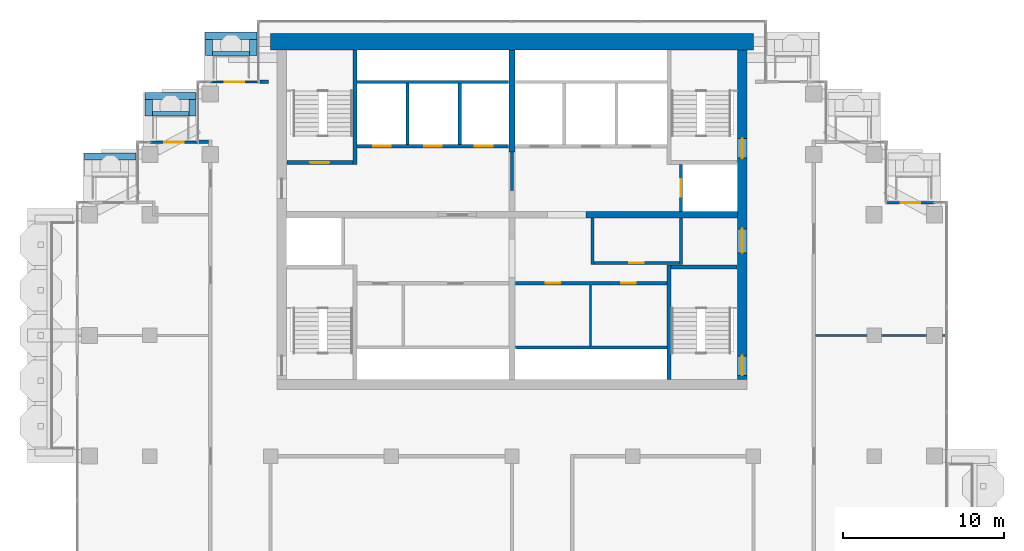
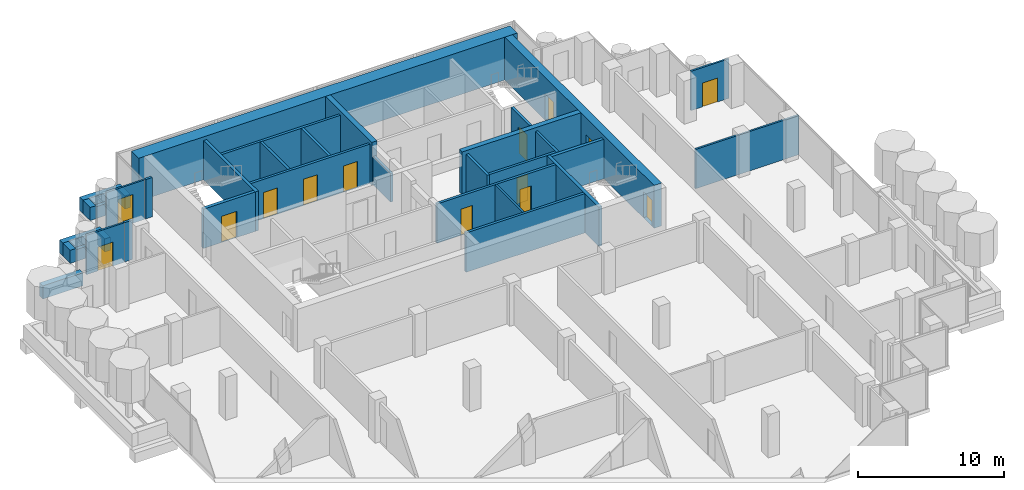
# One storey, part 13 of 17: 35 walls, 14 doors, 14 openings.
"""IFC4 building model written with IfcOpenShell, lengths in metres."""

from ifc_helpers import new_model, si_unit, direction, frame, frame_2d, origin, place, context, subcontext, project, spatial, rectangle, extrude, material, layer, layer_set, type_object, element, fill, save


model = new_model("IFC4")

# Units and contexts
model_context = context("Model", 3, precision=1e-05, world=origin(), true_north=direction((0.0, 1.0)))
body_context = subcontext(model_context, "Body", "Model", "MODEL_VIEW")
ifc_project = project(units=[si_unit("LENGTHUNIT", "METRE"), si_unit("AREAUNIT", "SQUARE_METRE"), si_unit("VOLUMEUNIT", "CUBIC_METRE"), si_unit("PLANEANGLEUNIT", "RADIAN"), si_unit("MASSUNIT", "GRAM", prefix="KILO")], contexts=[model_context])

# Site, building, storey
site_placement = place(None, origin())
site = spatial("IfcSite", under=ifc_project, at=site_placement, CompositionType="ELEMENT")
building_placement = place(site_placement, origin())
building = spatial("IfcBuilding", under=site, at=building_placement, Name="Pilkhan Gate Tower", CompositionType="ELEMENT")
storey_placement = place(building_placement, frame((0.0, 0.0, 213.89990234375)))
storey = spatial("IfcBuildingStorey", under=building, at=storey_placement, Name="L55", CompositionType="ELEMENT", Elevation=213.89990234375)

# Walls
ifc_material_1 = material(Name="Concrete C40/50", Category="concrete")
ifc_layer_1 = layer(ifc_material_1, 0.25)
ifc_layer_set_1 = layer_set([ifc_layer_1], Name="Balcony planter BP250")
wall_type_1 = type_object("IfcWallType", Name="Balcony planter BP250", PredefinedType="USERDEFINED", material=ifc_layer_set_1)
wall_1_placement = place(storey_placement, frame((56.39990234375, 92.52490234375, 0.0), z_axis=(0.0, 0.0, 1.0), x_axis=(1.0, 0.0, 0.0)))
element("IfcWall", 1, at=wall_1_placement, inside=storey, type_object=wall_type_1, Name="Balcony planter L55 N", ObjectType="BALCONY PLANTER", PredefinedType="USERDEFINED", context=body_context, shape_type="SweptSolid", body=[
    extrude(rectangle(XDim=2.300048828125, YDim=0.25, at=frame_2d((1.14990234375, 0.0))), origin(), (0.0, 0.0, 1.0), 1.0),
])
wall_2_placement = place(storey_placement, frame((52.64990234375, 88.77490234375, 0.0), z_axis=(0.0, 0.0, 1.0), x_axis=(1.0, 0.0, 0.0)))
element("IfcWall", 2, at=wall_2_placement, inside=storey, type_object=wall_type_1, Name="Balcony planter L55 N", ObjectType="BALCONY PLANTER", PredefinedType="USERDEFINED", context=body_context, shape_type="SweptSolid", body=[
    extrude(rectangle(XDim=2.280029296875, YDim=0.25, at=frame_2d((1.14013671875, 0.0))), origin(), (0.0, 0.0, 1.0), 1.0),
])
ifc_material_2 = material(Name="Board-marked Concrete C40/50", Category="concrete")
ifc_layer_2 = layer(ifc_material_2, 0.449951171875)
ifc_layer_set_2 = layer_set([ifc_layer_2], Name="Balcony planter lip BL450")
wall_type_2 = type_object("IfcWallType", Name="Balcony planter lip BL450", PredefinedType="USERDEFINED", material=ifc_layer_set_2)
wall_3_placement = place(storey_placement, frame((55.949951171875, 93.625, 0.0), z_axis=(0.0, 0.0, 1.0), x_axis=(1.0, 0.0, 0.0)))
element("IfcWall", 3, at=wall_3_placement, inside=storey, type_object=wall_type_2, Name="Balcony planter L55 N", ObjectType="BALCONY PLANTER", PredefinedType="USERDEFINED", context=body_context, shape_type="SweptSolid", body=[
    extrude(rectangle(XDim=3.199951171875, YDim=0.449951171875, at=frame_2d((1.60009765625, 0.0))), origin(), (0.0, 0.0, 1.0), 1.10009765625),
])
for number, where, z_axis, x_axis, name in (
    (4, (56.175048828125, 92.39990234375, 0.0), (0.0, 0.0, 1.0), (0.0, 1.0, 0.0), "Balcony planter L55 N"),
    (5, (58.925048828125, 92.39990234375, 0.0), (0.0, 0.0, 1.0), (0.0, 1.0, 0.0), "Balcony planter L55 N"),
):
    element("IfcWall", number, at=place(storey_placement, frame(where, z_axis=z_axis, x_axis=x_axis)), inside=storey, type_object=wall_type_2, Name=name, ObjectType="BALCONY PLANTER", PredefinedType="USERDEFINED", context=body_context, shape_type="SweptSolid", body=[
        extrude(rectangle(XDim=1.0, YDim=0.449951171875, at=frame_2d((0.5, 0.0))), origin(), (0.0, 0.0, 1.0), 1.10009765625),
    ])
wall_4_placement = place(storey_placement, frame((52.199951171875, 89.875, 0.0), z_axis=(0.0, 0.0, 1.0), x_axis=(1.0, 0.0, 0.0)))
element("IfcWall", 6, at=wall_4_placement, inside=storey, type_object=wall_type_2, Name="Balcony planter L55 N", ObjectType="BALCONY PLANTER", PredefinedType="USERDEFINED", context=body_context, shape_type="SweptSolid", body=[
    extrude(rectangle(XDim=3.179931640625, YDim=0.449951171875, at=frame_2d((1.58984375, 0.0))), origin(), (0.0, 0.0, 1.0), 1.10009765625),
])
for number, where, z_axis, x_axis, name in (
    (7, (52.425048828125, 88.64990234375, 0.0), (0.0, 0.0, 1.0), (0.0, 1.0, 0.0), "Balcony planter L55 N"),
    (8, (55.155029296875, 88.64990234375, 0.0), (0.0, 0.0, 1.0), (0.0, 1.0, 0.0), "Balcony planter L55 N"),
):
    element("IfcWall", number, at=place(storey_placement, frame(where, z_axis=z_axis, x_axis=x_axis)), inside=storey, type_object=wall_type_2, Name=name, ObjectType="BALCONY PLANTER", PredefinedType="USERDEFINED", context=body_context, shape_type="SweptSolid", body=[
        extrude(rectangle(XDim=1.0, YDim=0.449951171875, at=frame_2d((0.5, 0.0))), origin(), (0.0, 0.0, 1.0), 1.10009765625),
    ])
wall_5_placement = place(storey_placement, frame((48.449951171875, 86.125, 0.0), z_axis=(0.0, 0.0, 1.0), x_axis=(1.0, 0.0, 0.0)))
element("IfcWall", 9, at=wall_5_placement, inside=storey, type_object=wall_type_2, Name="Balcony planter L55 N", ObjectType="BALCONY PLANTER", PredefinedType="USERDEFINED", context=body_context, shape_type="SweptSolid", body=[
    extrude(rectangle(XDim=3.179931640625, YDim=0.449951171875, at=frame_2d((1.58984375, 0.0))), origin(), (0.0, 0.0, 1.0), 1.10009765625),
])
ifc_material_3 = material(Name="Concrete C50/60", Category="concrete")
ifc_layer_3 = layer(ifc_material_3, 1.0)
ifc_layer_set_3 = layer_set([ifc_layer_3], Name="Core wall CW1000 C50/60")
wall_type_3 = type_object("IfcWallType", Name="Core wall CW1000 C50/60", PredefinedType="SHEAR", material=ifc_layer_set_3)
wall_6_placement = place(storey_placement, frame((90.0, 93.25, 0.0), z_axis=(0.0, 0.0, 1.0), x_axis=(-1.0, 0.0, 0.0)))
element("IfcWall", 10, at=wall_6_placement, inside=storey, type_object=wall_type_3, Name="Core wall N L55", PredefinedType="SHEAR", context=body_context, shape_type="SweptSolid", body=[
    extrude(rectangle(XDim=30.0, YDim=1.0, at=frame_2d((15.0, 0.0))), origin(), (0.0, 0.0, 1.0), 3.60009765625),
])

# Wall, openings, doors
ifc_layer_4 = layer(ifc_material_3, 0.60009765625)
ifc_layer_set_4 = layer_set([ifc_layer_4], Name="Core wall CW600 C50/60")
wall_type_4 = type_object("IfcWallType", Name="Core wall CW600 C50/60", PredefinedType="SHEAR", material=ifc_layer_set_4)
wall_7_placement = place(storey_placement, frame((89.300048828125, 72.25, 0.0), z_axis=(0.0, 0.0, 1.0), x_axis=(0.0, 1.0, 0.0)))
wall_7 = element("IfcWall", 11, at=wall_7_placement, inside=storey, type_object=wall_type_4, Name="Core wall E L55", PredefinedType="SHEAR", context=body_context, shape_type="SweptSolid", body=[
    extrude(rectangle(XDim=20.5, YDim=0.60009765625, at=frame_2d((10.25, 0.0))), origin(), (0.0, 0.0, 1.0), 3.60009765625),
])
opening_1_placement = place(wall_7_placement, frame((0.27490234375, 0.0, 0.0)))
opening_1 = element("IfcOpeningElement", 12, at=opening_1_placement, cuts=wall_7, Name="Opening L55-03", PredefinedType="OPENING", context=body_context, shape_type="SweptSolid", body=[
    extrude(rectangle(XDim=1.199951171875, YDim=2.199951171875, at=frame_2d((0.60009765625, 1.10009765625))), frame((0.0, 0.31005859375, 0.0), z_axis=(0.0, -1.0, 0.0), x_axis=(1.0, 0.0, 0.0)), (0.0, 0.0, 1.0), 0.6201171875),
])
opening_2_placement = place(wall_7_placement, frame((13.77490234375, 0.0, 0.0)))
opening_2 = element("IfcOpeningElement", 13, at=opening_2_placement, cuts=wall_7, Name="Opening L55-05", PredefinedType="OPENING", context=body_context, shape_type="SweptSolid", body=[
    extrude(rectangle(XDim=1.199951171875, YDim=2.199951171875, at=frame_2d((0.60009765625, 1.10009765625))), frame((0.0, 0.31005859375, 0.0), z_axis=(0.0, -1.0, 0.0), x_axis=(1.0, 0.0, 0.0)), (0.0, 0.0, 1.0), 0.6201171875),
])
opening_3_placement = place(wall_7_placement, frame((7.875, 0.0, 0.0)))
opening_3 = element("IfcOpeningElement", 14, at=opening_3_placement, cuts=wall_7, Name="Opening L55-06", PredefinedType="OPENING", context=body_context, shape_type="SweptSolid", body=[
    extrude(rectangle(XDim=1.5, YDim=2.199951171875, at=frame_2d((0.75, 1.10009765625))), frame((0.0, 0.31005859375, 0.0), z_axis=(0.0, -1.0, 0.0), x_axis=(1.0, 0.0, 0.0)), (0.0, 0.0, 1.0), 0.6201171875),
])
ifc_material_4 = material(Name="Steel framed glazed door, 60 minute fire resisting", Category="steel")
door_type_1 = type_object("IfcDoorType", Name="Lobby door D09 1500x2200", OperationType="DOUBLE_DOOR_SINGLE_SWING", PredefinedType="DOOR", material=ifc_material_4)
door_1_placement = place(opening_3_placement, origin())
door_1 = element("IfcDoor", 15, at=door_1_placement, inside=storey, type_object=door_type_1, Name="Core door", OperationType="DOUBLE_DOOR_SINGLE_SWING", OverallHeight=2.199951171875, OverallWidth=1.5, PredefinedType="DOOR", context=body_context, shape_type="SweptSolid", body=[
    extrude(rectangle(XDim=1.5, YDim=2.199951171875, at=frame_2d((0.75, 1.10009765625))), frame((0.0, 0.02490234375, 0.0), z_axis=(0.0, -1.0, 0.0), x_axis=(1.0, 0.0, 0.0)), (0.0, 0.0, 1.0), 0.050048828125),
])
fill(opening_3, door_1)
ifc_material_5 = material(Name="Steel door, 120 minute fire resisting, panic bar", Category="steel")
door_type_2 = type_object("IfcDoorType", Name="Stair door D11 1200x2200", OperationType="SINGLE_SWING_LEFT", PredefinedType="DOOR", material=ifc_material_5)
door_2_placement = place(opening_1_placement, origin())
door_2 = element("IfcDoor", 16, at=door_2_placement, inside=storey, type_object=door_type_2, Name="Stair ST1 door", OperationType="SINGLE_SWING_LEFT", OverallHeight=2.199951171875, OverallWidth=1.199951171875, PredefinedType="DOOR", context=body_context, shape_type="SweptSolid", body=[
    extrude(rectangle(XDim=1.199951171875, YDim=2.199951171875, at=frame_2d((0.60009765625, 1.10009765625))), frame((0.0, 0.02490234375, 0.0), z_axis=(0.0, -1.0, 0.0), x_axis=(1.0, 0.0, 0.0)), (0.0, 0.0, 1.0), 0.050048828125),
])
fill(opening_1, door_2)
door_3_placement = place(opening_2_placement, origin())
door_3 = element("IfcDoor", 17, at=door_3_placement, inside=storey, type_object=door_type_2, Name="Stair ST4 door", OperationType="SINGLE_SWING_RIGHT", OverallHeight=2.199951171875, OverallWidth=1.199951171875, PredefinedType="DOOR", context=body_context, shape_type="SweptSolid", body=[
    extrude(rectangle(XDim=1.199951171875, YDim=2.199951171875, at=frame_2d((0.60009765625, 1.10009765625))), frame((0.0, 0.02490234375, 0.0), z_axis=(0.0, -1.0, 0.0), x_axis=(1.0, 0.0, 0.0)), (0.0, 0.0, 1.0), 0.050048828125),
])
fill(opening_2, door_3)

# Walls
ifc_material_6 = material(Name="Dense blockwork", Category="masonry")
ifc_layer_5 = layer(ifc_material_6, 0.199951171875)
ifc_layer_set_5 = layer_set([ifc_layer_5], Name="Corridor wall FW200")
wall_type_5 = type_object("IfcWallType", Name="Corridor wall FW200", PredefinedType="PARTITIONING", material=ifc_layer_set_5)
wall_8_placement = place(storey_placement, frame((55.510009765625, 87.030029296875, 0.0), z_axis=(0.0, 0.0, 1.0), x_axis=(1.0, 0.0, 0.0)))
element("IfcWall", 18, at=wall_8_placement, inside=storey, type_object=wall_type_5, Name="Partition L55", PredefinedType="PARTITIONING", context=body_context, shape_type="SweptSolid", body=[
    extrude(rectangle(XDim=0.639892578125, YDim=0.199951171875, at=frame_2d((0.31982421875, 0.0))), origin(), (0.0, 0.0, 1.0), 3.300048828125),
])
wall_9_placement = place(storey_placement, frame((59.35498046875, 90.764892578125, 0.0), z_axis=(0.0, 0.0, 1.0), x_axis=(1.0, 0.0, 0.0)))
element("IfcWall", 19, at=wall_9_placement, inside=storey, type_object=wall_type_5, Name="Partition L55", PredefinedType="PARTITIONING", context=body_context, shape_type="SweptSolid", body=[
    extrude(rectangle(XDim=0.52490234375, YDim=0.199951171875, at=frame_2d((0.262451171875, 0.0))), origin(), (0.0, 0.0, 1.0), 3.300048828125),
])

# Wall, opening, door
ifc_material_7 = material(Name="Pale anodised aluminium, clear laminated glazing", Category="aluminium")
ifc_layer_6 = layer(ifc_material_7, 0.14990234375)
ifc_layer_set_6 = layer_set([ifc_layer_6], Name="Facade infill wall IW150")
wall_type_6 = type_object("IfcWallType", Name="Facade infill wall IW150", PredefinedType="SOLIDWALL", material=ifc_layer_set_6)
wall_10_placement = place(storey_placement, frame((98.25, 83.25, 0.0), z_axis=(0.0, 0.0, 1.0), x_axis=(1.0, 0.0, 0.0)))
wall_10 = element("IfcWall", 20, at=wall_10_placement, inside=storey, type_object=wall_type_6, Name="Infill wall L55 N", PredefinedType="SOLIDWALL", context=body_context, shape_type="SweptSolid", body=[
    extrude(rectangle(XDim=3.0, YDim=0.14990234375, at=frame_2d((1.5, 0.0))), origin(), (0.0, 0.0, 1.0), 3.300048828125),
])
opening_4_placement = place(wall_10_placement, frame((0.89990234375, 0.0, 0.0)))
opening_4 = element("IfcOpeningElement", 21, at=opening_4_placement, cuts=wall_10, Name="Opening D1L", PredefinedType="OPENING", context=body_context, shape_type="SweptSolid", body=[
    extrude(rectangle(XDim=1.199951171875, YDim=2.0, at=frame_2d((0.60009765625, 1.0))), frame((0.0, 0.0849609375, 0.0), z_axis=(0.0, -1.0, 0.0), x_axis=(1.0, 0.0, 0.0)), (0.0, 0.0, 1.0), 0.169921875),
])
ifc_material_8 = material(Name="Pale anodised aluminium, clear glazing", Category="aluminium")
door_type_3 = type_object("IfcDoorType", Name="Balcony door D1L 1200x2000", OperationType="SINGLE_SWING_LEFT", PredefinedType="DOOR", material=ifc_material_8)
door_4_placement = place(opening_4_placement, origin())
door_4 = element("IfcDoor", 22, at=door_4_placement, inside=storey, type_object=door_type_3, Name="Balcony door L55", OperationType="SINGLE_SWING_LEFT", OverallHeight=2.0, OverallWidth=1.199951171875, PredefinedType="DOOR", context=body_context, shape_type="SweptSolid", body=[
    extrude(rectangle(XDim=1.199951171875, YDim=2.0, at=frame_2d((0.60009765625, 1.0))), frame((0.0, 0.02490234375, 0.0), z_axis=(0.0, -1.0, 0.0), x_axis=(1.0, 0.0, 0.0)), (0.0, 0.0, 1.0), 0.050048828125),
])
fill(opening_4, door_4)

wall_11_placement = place(storey_placement, frame((56.25, 90.75, 0.0), z_axis=(0.0, 0.0, 1.0), x_axis=(1.0, 0.0, 0.0)))
wall_11 = element("IfcWall", 23, at=wall_11_placement, inside=storey, type_object=wall_type_6, Name="Infill wall L55 N", PredefinedType="SOLIDWALL", context=body_context, shape_type="SweptSolid", body=[
    extrude(rectangle(XDim=3.0, YDim=0.14990234375, at=frame_2d((1.5, 0.0))), origin(), (0.0, 0.0, 1.0), 3.300048828125),
])
opening_5_placement = place(wall_11_placement, frame((0.89990234375, 0.0, 0.0)))
opening_5 = element("IfcOpeningElement", 24, at=opening_5_placement, cuts=wall_11, Name="Opening D1", PredefinedType="OPENING", context=body_context, shape_type="SweptSolid", body=[
    extrude(rectangle(XDim=1.199951171875, YDim=2.39990234375, at=frame_2d((0.60009765625, 1.199951171875))), frame((0.0, 0.0849609375, 0.0), z_axis=(0.0, -1.0, 0.0), x_axis=(1.0, 0.0, 0.0)), (0.0, 0.0, 1.0), 0.169921875),
])
door_type_4 = type_object("IfcDoorType", Name="Balcony door D1 1200x2400", OperationType="SINGLE_SWING_LEFT", PredefinedType="DOOR", material=ifc_material_8)
door_5_placement = place(opening_5_placement, origin())
door_5 = element("IfcDoor", 25, at=door_5_placement, inside=storey, type_object=door_type_4, Name="Balcony door L55", OperationType="SINGLE_SWING_LEFT", OverallHeight=2.39990234375, OverallWidth=1.199951171875, PredefinedType="DOOR", context=body_context, shape_type="SweptSolid", body=[
    extrude(rectangle(XDim=1.199951171875, YDim=2.39990234375, at=frame_2d((0.60009765625, 1.199951171875))), frame((0.0, 0.02490234375, 0.0), z_axis=(0.0, -1.0, 0.0), x_axis=(1.0, 0.0, 0.0)), (0.0, 0.0, 1.0), 0.050048828125),
])
fill(opening_5, door_5)

wall_12_placement = place(storey_placement, frame((52.5, 87.0, 0.0), z_axis=(0.0, 0.0, 1.0), x_axis=(1.0, 0.0, 0.0)))
wall_12 = element("IfcWall", 26, at=wall_12_placement, inside=storey, type_object=wall_type_6, Name="Infill wall L55 N", PredefinedType="SOLIDWALL", context=body_context, shape_type="SweptSolid", body=[
    extrude(rectangle(XDim=3.0, YDim=0.14990234375, at=frame_2d((1.5, 0.0))), origin(), (0.0, 0.0, 1.0), 3.300048828125),
])
opening_6_placement = place(wall_12_placement, frame((0.89990234375, 0.0, 0.0)))
opening_6 = element("IfcOpeningElement", 27, at=opening_6_placement, cuts=wall_12, Name="Opening D1L", PredefinedType="OPENING", context=body_context, shape_type="SweptSolid", body=[
    extrude(rectangle(XDim=1.199951171875, YDim=2.0, at=frame_2d((0.60009765625, 1.0))), frame((0.0, 0.0849609375, 0.0), z_axis=(0.0, -1.0, 0.0), x_axis=(1.0, 0.0, 0.0)), (0.0, 0.0, 1.0), 0.169921875),
])
door_6_placement = place(opening_6_placement, origin())
door_6 = element("IfcDoor", 28, at=door_6_placement, inside=storey, type_object=door_type_3, Name="Balcony door L55", OperationType="SINGLE_SWING_LEFT", OverallHeight=2.0, OverallWidth=1.199951171875, PredefinedType="DOOR", context=body_context, shape_type="SweptSolid", body=[
    extrude(rectangle(XDim=1.199951171875, YDim=2.0, at=frame_2d((0.60009765625, 1.0))), frame((0.0, 0.02490234375, 0.0), z_axis=(0.0, -1.0, 0.0), x_axis=(1.0, 0.0, 0.0)), (0.0, 0.0, 1.0), 0.050048828125),
])
fill(opening_6, door_6)

# Wall
ifc_layer_7 = layer(ifc_material_6, 0.199951171875)
ifc_layer_set_7 = layer_set([ifc_layer_7], Name="Lobby wall LW200")
wall_type_7 = type_object("IfcWallType", Name="Lobby wall LW200", PredefinedType="PARTITIONING", material=ifc_layer_set_7)
wall_13_placement = place(storey_placement, frame((75.2099609375, 74.25, 0.0), z_axis=(0.0, 0.0, 1.0), x_axis=(1.0, 0.0, 0.0)))
element("IfcWall", 29, at=wall_13_placement, inside=storey, type_object=wall_type_7, Name="Partition L55", PredefinedType="PARTITIONING", context=body_context, shape_type="SweptSolid", body=[
    extrude(rectangle(XDim=9.4150390625, YDim=0.199951171875, at=frame_2d((4.70751953125, 0.0))), origin(), (0.0, 0.0, 1.0), 3.300048828125),
])

# Wall, openings, doors
wall_14_placement = place(storey_placement, frame((75.2099609375, 78.25, 0.0), z_axis=(0.0, 0.0, 1.0), x_axis=(1.0, 0.0, 0.0)))
wall_14 = element("IfcWall", 30, at=wall_14_placement, inside=storey, type_object=wall_type_7, Name="Partition L55", PredefinedType="PARTITIONING", context=body_context, shape_type="SweptSolid", body=[
    extrude(rectangle(XDim=9.4150390625, YDim=0.199951171875, at=frame_2d((4.70751953125, 0.0))), origin(), (0.0, 0.0, 1.0), 3.300048828125),
])
opening_7_placement = place(wall_14_placement, frame((1.89990234375, 0.0, 0.0)))
opening_7 = element("IfcOpeningElement", 31, at=opening_7_placement, cuts=wall_14, Name="Opening L55-11", PredefinedType="OPENING", context=body_context, shape_type="SweptSolid", body=[
    extrude(rectangle(XDim=0.89990234375, YDim=2.199951171875, at=frame_2d((0.449951171875, 1.10009765625))), frame((0.0, 0.10986328125, 0.0), z_axis=(0.0, -1.0, 0.0), x_axis=(1.0, 0.0, 0.0)), (0.0, 0.0, 1.0), 0.219970703125),
])
opening_8_placement = place(wall_14_placement, frame((6.56494140625, 0.0, 0.0)))
opening_8 = element("IfcOpeningElement", 32, at=opening_8_placement, cuts=wall_14, Name="Opening L55-12", PredefinedType="OPENING", context=body_context, shape_type="SweptSolid", body=[
    extrude(rectangle(XDim=0.89990234375, YDim=2.199951171875, at=frame_2d((0.449951171875, 1.10009765625))), frame((0.0, 0.10986328125, 0.0), z_axis=(0.0, -1.0, 0.0), x_axis=(1.0, 0.0, 0.0)), (0.0, 0.0, 1.0), 0.219970703125),
])
ifc_material_9 = material(Name="Timber flush door, 60 minute fire resisting, self-closing", Category="wood")
door_type_5 = type_object("IfcDoorType", Name="Store door D05 900x2200", OperationType="SINGLE_SWING_LEFT", PredefinedType="DOOR", material=ifc_material_9)
door_7_placement = place(opening_7_placement, origin())
door_7 = element("IfcDoor", 33, at=door_7_placement, inside=storey, type_object=door_type_5, Name="Store door", OperationType="SINGLE_SWING_LEFT", OverallHeight=2.199951171875, OverallWidth=0.89990234375, PredefinedType="DOOR", context=body_context, shape_type="SweptSolid", body=[
    extrude(rectangle(XDim=0.89990234375, YDim=2.199951171875, at=frame_2d((0.449951171875, 1.10009765625))), frame((0.0, 0.02490234375, 0.0), z_axis=(0.0, -1.0, 0.0), x_axis=(1.0, 0.0, 0.0)), (0.0, 0.0, 1.0), 0.050048828125),
])
fill(opening_7, door_7)
door_8_placement = place(opening_8_placement, origin())
door_8 = element("IfcDoor", 34, at=door_8_placement, inside=storey, type_object=door_type_5, Name="Store door", OperationType="SINGLE_SWING_RIGHT", OverallHeight=2.199951171875, OverallWidth=0.89990234375, PredefinedType="DOOR", context=body_context, shape_type="SweptSolid", body=[
    extrude(rectangle(XDim=0.89990234375, YDim=2.199951171875, at=frame_2d((0.449951171875, 1.10009765625))), frame((0.0, 0.02490234375, 0.0), z_axis=(0.0, -1.0, 0.0), x_axis=(1.0, 0.0, 0.0)), (0.0, 0.0, 1.0), 0.050048828125),
])
fill(opening_8, door_8)

# Wall, opening, door
wall_15_placement = place(storey_placement, frame((80.10009765625, 79.5, 0.0), z_axis=(0.0, 0.0, 1.0), x_axis=(1.0, 0.0, 0.0)))
wall_15 = element("IfcWall", 35, at=wall_15_placement, inside=storey, type_object=wall_type_7, Name="Partition L55", PredefinedType="PARTITIONING", context=body_context, shape_type="SweptSolid", body=[
    extrude(rectangle(XDim=5.2998046875, YDim=0.199951171875, at=frame_2d((2.64990234375, 0.0))), origin(), (0.0, 0.0, 1.0), 3.300048828125),
])
opening_9_placement = place(wall_15_placement, frame((2.199951171875, 0.0, 0.0)))
opening_9 = element("IfcOpeningElement", 36, at=opening_9_placement, cuts=wall_15, Name="Opening L55-07", PredefinedType="OPENING", context=body_context, shape_type="SweptSolid", body=[
    extrude(rectangle(XDim=0.89990234375, YDim=2.199951171875, at=frame_2d((0.449951171875, 1.10009765625))), frame((0.0, 0.10986328125, 0.0), z_axis=(0.0, -1.0, 0.0), x_axis=(1.0, 0.0, 0.0)), (0.0, 0.0, 1.0), 0.219970703125),
])
door_9_placement = place(opening_9_placement, origin())
door_9 = element("IfcDoor", 37, at=door_9_placement, inside=storey, type_object=door_type_5, Name="Store door", OperationType="SINGLE_SWING_LEFT", OverallHeight=2.199951171875, OverallWidth=0.89990234375, PredefinedType="DOOR", context=body_context, shape_type="SweptSolid", body=[
    extrude(rectangle(XDim=0.89990234375, YDim=2.199951171875, at=frame_2d((0.449951171875, 1.10009765625))), frame((0.0, 0.02490234375, 0.0), z_axis=(0.0, -1.0, 0.0), x_axis=(1.0, 0.0, 0.0)), (0.0, 0.0, 1.0), 0.050048828125),
])
fill(opening_9, door_9)

# Walls
wall_16_placement = place(storey_placement, frame((75.0, 84.010009765625, 0.0), z_axis=(0.0, 0.0, 1.0), x_axis=(0.0, 1.0, 0.0)))
element("IfcWall", 38, at=wall_16_placement, inside=storey, type_object=wall_type_7, Name="Partition L55", PredefinedType="PARTITIONING", context=body_context, shape_type="SweptSolid", body=[
    extrude(rectangle(XDim=2.3798828125, YDim=0.199951171875, at=frame_2d((1.18994140625, 0.0))), origin(), (0.0, 0.0, 1.0), 2.400146484375),
])
for number, where, z_axis, x_axis, name in (
    (39, (80.0, 79.39990234375, 0.0), (0.0, 0.0, 1.0), (0.0, 1.0, 0.0), "Partition L55"),
    (40, (85.5, 79.39990234375, 0.0), (0.0, 0.0, 1.0), (0.0, 1.0, 0.0), "Partition L55"),
):
    element("IfcWall", number, at=place(storey_placement, frame(where, z_axis=z_axis, x_axis=x_axis)), inside=storey, type_object=wall_type_7, Name=name, PredefinedType="PARTITIONING", context=body_context, shape_type="SweptSolid", body=[
        extrude(rectangle(XDim=2.89013671875, YDim=0.199951171875, at=frame_2d((1.445068359375, 0.0))), origin(), (0.0, 0.0, 1.0), 3.300048828125),
    ])
ifc_material_10 = material(Name="Blockwork partition, plastered both sides", Category="masonry")
ifc_layer_8 = layer(ifc_material_10, 0.14990234375)
ifc_layer_set_8 = layer_set([ifc_layer_8], Name="Partition PW150")
wall_type_8 = type_object("IfcWallType", Name="Partition PW150", PredefinedType="PARTITIONING", material=ifc_layer_set_8)
wall_17_placement = place(storey_placement, frame((93.85009765625, 75.0, 0.0), z_axis=(0.0, 0.0, 1.0), x_axis=(1.0, 0.0, 0.0)))
element("IfcWall", 41, at=wall_17_placement, inside=storey, type_object=wall_type_8, Name="Partition L55", PredefinedType="PARTITIONING", context=body_context, shape_type="SweptSolid", body=[
    extrude(rectangle(XDim=8.164794921875, YDim=0.14990234375, at=frame_2d((4.08251953125, 0.0))), origin(), (0.0, 0.0, 1.0), 3.300048828125),
])
wall_18_placement = place(storey_placement, frame((79.875, 74.35009765625, 0.0), z_axis=(0.0, 0.0, 1.0), x_axis=(0.0, 1.0, 0.0)))
element("IfcWall", 42, at=wall_18_placement, inside=storey, type_object=wall_type_8, Name="Partition L55", PredefinedType="PARTITIONING", context=body_context, shape_type="SweptSolid", body=[
    extrude(rectangle(XDim=3.7998046875, YDim=0.14990234375, at=frame_2d((1.89990234375, 0.0))), origin(), (0.0, 0.0, 1.0), 3.300048828125),
])

# Wall, openings, doors
ifc_material_11 = material(Name="Reinforced blockwork shaft wall, 120 minute fire resisting", Category="masonry")
ifc_layer_9 = layer(ifc_material_11, 0.199951171875)
ifc_layer_set_9 = layer_set([ifc_layer_9], Name="Shaft wall SW200")
wall_type_9 = type_object("IfcWallType", Name="Shaft wall SW200", PredefinedType="PARTITIONING", material=ifc_layer_set_9)
wall_19_placement = place(storey_placement, frame((65.375, 86.75, 0.0), z_axis=(0.0, 0.0, 1.0), x_axis=(1.0, 0.0, 0.0)))
wall_19 = element("IfcWall", 43, at=wall_19_placement, inside=storey, type_object=wall_type_9, Name="Partition L55", PredefinedType="PARTITIONING", context=body_context, shape_type="SweptSolid", body=[
    extrude(rectangle(XDim=9.4150390625, YDim=0.199951171875, at=frame_2d((4.70751953125, 0.0))), origin(), (0.0, 0.0, 1.0), 3.300048828125),
])
opening_10_placement = place(wall_19_placement, frame((1.0, 0.0, 0.0)))
opening_10 = element("IfcOpeningElement", 44, at=opening_10_placement, cuts=wall_19, Name="Opening LD", PredefinedType="OPENING", context=body_context, shape_type="SweptSolid", body=[
    extrude(rectangle(XDim=1.10009765625, YDim=2.199951171875, at=frame_2d((0.550048828125, 1.10009765625))), frame((0.0, 0.10986328125, 0.0), z_axis=(0.0, -1.0, 0.0), x_axis=(1.0, 0.0, 0.0)), (0.0, 0.0, 1.0), 0.219970703125),
])
opening_11_placement = place(wall_19_placement, frame((4.175048828125, 0.0, 0.0)))
opening_11 = element("IfcOpeningElement", 45, at=opening_11_placement, cuts=wall_19, Name="Opening LD", PredefinedType="OPENING", context=body_context, shape_type="SweptSolid", body=[
    extrude(rectangle(XDim=1.10009765625, YDim=2.199951171875, at=frame_2d((0.550048828125, 1.10009765625))), frame((0.0, 0.10986328125, 0.0), z_axis=(0.0, -1.0, 0.0), x_axis=(1.0, 0.0, 0.0)), (0.0, 0.0, 1.0), 0.219970703125),
])
opening_12_placement = place(wall_19_placement, frame((7.324951171875, 0.0, 0.0)))
opening_12 = element("IfcOpeningElement", 46, at=opening_12_placement, cuts=wall_19, Name="Opening LD", PredefinedType="OPENING", context=body_context, shape_type="SweptSolid", body=[
    extrude(rectangle(XDim=1.10009765625, YDim=2.199951171875, at=frame_2d((0.550048828125, 1.10009765625))), frame((0.0, 0.10986328125, 0.0), z_axis=(0.0, -1.0, 0.0), x_axis=(1.0, 0.0, 0.0)), (0.0, 0.0, 1.0), 0.219970703125),
])
ifc_material_12 = material(Name="Stainless steel centre-opening landing door, 120 minute fire resisting", Category="steel")
door_type_6 = type_object("IfcDoorType", Name="Lift landing door LD 1100x2200", OperationType="DOUBLE_DOOR_SLIDING", PredefinedType="DOOR", material=ifc_material_12)
door_10_placement = place(opening_10_placement, origin())
door_10 = element("IfcDoor", 47, at=door_10_placement, inside=storey, type_object=door_type_6, Name="Landing door FF1", OperationType="DOUBLE_DOOR_SLIDING", OverallHeight=2.199951171875, OverallWidth=1.10009765625, PredefinedType="DOOR", context=body_context, shape_type="SweptSolid", body=[
    extrude(rectangle(XDim=1.10009765625, YDim=2.199951171875, at=frame_2d((0.550048828125, 1.10009765625))), frame((0.0, 0.02490234375, 0.0), z_axis=(0.0, -1.0, 0.0), x_axis=(1.0, 0.0, 0.0)), (0.0, 0.0, 1.0), 0.050048828125),
])
fill(opening_10, door_10)
door_11_placement = place(opening_11_placement, origin())
door_11 = element("IfcDoor", 48, at=door_11_placement, inside=storey, type_object=door_type_6, Name="Landing door FF2", OperationType="DOUBLE_DOOR_SLIDING", OverallHeight=2.199951171875, OverallWidth=1.10009765625, PredefinedType="DOOR", context=body_context, shape_type="SweptSolid", body=[
    extrude(rectangle(XDim=1.10009765625, YDim=2.199951171875, at=frame_2d((0.550048828125, 1.10009765625))), frame((0.0, 0.02490234375, 0.0), z_axis=(0.0, -1.0, 0.0), x_axis=(1.0, 0.0, 0.0)), (0.0, 0.0, 1.0), 0.050048828125),
])
fill(opening_11, door_11)
door_12_placement = place(opening_12_placement, origin())
door_12 = element("IfcDoor", 49, at=door_12_placement, inside=storey, type_object=door_type_6, Name="Landing door SV1", OperationType="DOUBLE_DOOR_SLIDING", OverallHeight=2.199951171875, OverallWidth=1.10009765625, PredefinedType="DOOR", context=body_context, shape_type="SweptSolid", body=[
    extrude(rectangle(XDim=1.10009765625, YDim=2.199951171875, at=frame_2d((0.550048828125, 1.10009765625))), frame((0.0, 0.02490234375, 0.0), z_axis=(0.0, -1.0, 0.0), x_axis=(1.0, 0.0, 0.0)), (0.0, 0.0, 1.0), 0.050048828125),
])
fill(opening_12, door_12)

# Walls
wall_20_placement = place(storey_placement, frame((65.375, 90.75, 0.0), z_axis=(0.0, 0.0, 1.0), x_axis=(1.0, 0.0, 0.0)))
element("IfcWall", 50, at=wall_20_placement, inside=storey, type_object=wall_type_9, Name="Partition L55", PredefinedType="PARTITIONING", context=body_context, shape_type="SweptSolid", body=[
    extrude(rectangle(XDim=9.4150390625, YDim=0.199951171875, at=frame_2d((4.70751953125, 0.0))), origin(), (0.0, 0.0, 1.0), 3.300048828125),
])
for number, where, z_axis, x_axis, name in (
    (51, (68.5, 86.85009765625, 0.0), (0.0, 0.0, 1.0), (0.0, 1.0, 0.0), "Partition L55"),
    (52, (71.75, 86.85009765625, 0.0), (0.0, 0.0, 1.0), (0.0, 1.0, 0.0), "Partition L55"),
):
    element("IfcWall", number, at=place(storey_placement, frame(where, z_axis=z_axis, x_axis=x_axis)), inside=storey, type_object=wall_type_9, Name=name, PredefinedType="PARTITIONING", context=body_context, shape_type="SweptSolid", body=[
        extrude(rectangle(XDim=3.7998046875, YDim=0.199951171875, at=frame_2d((1.89990234375, 0.0))), origin(), (0.0, 0.0, 1.0), 3.300048828125),
    ])

# Wall, opening, door
wall_21_placement = place(storey_placement, frame((85.5, 82.7099609375, 0.0), z_axis=(0.0, 0.0, 1.0), x_axis=(0.0, 1.0, 0.0)))
wall_21 = element("IfcWall", 53, at=wall_21_placement, inside=storey, type_object=wall_type_9, Name="Partition L55", PredefinedType="PARTITIONING", context=body_context, shape_type="SweptSolid", body=[
    extrude(rectangle(XDim=2.9150390625, YDim=0.199951171875, at=frame_2d((1.45751953125, 0.0))), origin(), (0.0, 0.0, 1.0), 3.300048828125),
])
opening_13_placement = place(wall_21_placement, frame((0.89990234375, 0.0, 0.0)))
opening_13 = element("IfcOpeningElement", 54, at=opening_13_placement, cuts=wall_21, Name="Opening LD", PredefinedType="OPENING", context=body_context, shape_type="SweptSolid", body=[
    extrude(rectangle(XDim=1.10009765625, YDim=2.199951171875, at=frame_2d((0.550048828125, 1.10009765625))), frame((0.0, 0.10986328125, 0.0), z_axis=(0.0, -1.0, 0.0), x_axis=(1.0, 0.0, 0.0)), (0.0, 0.0, 1.0), 0.219970703125),
])
door_13_placement = place(opening_13_placement, origin())
door_13 = element("IfcDoor", 55, at=door_13_placement, inside=storey, type_object=door_type_6, Name="Landing door HR4", OperationType="DOUBLE_DOOR_SLIDING", OverallHeight=2.199951171875, OverallWidth=1.10009765625, PredefinedType="DOOR", context=body_context, shape_type="SweptSolid", body=[
    extrude(rectangle(XDim=1.10009765625, YDim=2.199951171875, at=frame_2d((0.550048828125, 1.10009765625))), frame((0.0, 0.02490234375, 0.0), z_axis=(0.0, -1.0, 0.0), x_axis=(1.0, 0.0, 0.0)), (0.0, 0.0, 1.0), 0.050048828125),
])
fill(opening_13, door_13)

# Walls
ifc_layer_10 = layer(ifc_material_3, 0.39990234375)
ifc_layer_set_10 = layer_set([ifc_layer_10], Name="Spine wall SW400 C50/60")
wall_type_10 = type_object("IfcWallType", Name="Spine wall SW400 C50/60", PredefinedType="SHEAR", material=ifc_layer_set_10)
wall_22_placement = place(storey_placement, frame((79.60009765625, 82.5, 0.0), z_axis=(0.0, 0.0, 1.0), x_axis=(1.0, 0.0, 0.0)))
element("IfcWall", 56, at=wall_22_placement, inside=storey, type_object=wall_type_10, Name="Spine wall SP-EW3 L55", PredefinedType="SHEAR", context=body_context, shape_type="SweptSolid", body=[
    extrude(rectangle(XDim=9.39990234375, YDim=0.39990234375, at=frame_2d((4.699951171875, 0.0))), origin(), (0.0, 0.0, 1.0), 3.60009765625),
])
wall_23_placement = place(storey_placement, frame((75.0, 86.39990234375, 0.0), z_axis=(0.0, 0.0, 1.0), x_axis=(0.0, 1.0, 0.0)))
element("IfcWall", 57, at=wall_23_placement, inside=storey, type_object=wall_type_10, Name="Spine wall SP-NS-N2 L55", PredefinedType="SHEAR", context=body_context, shape_type="SweptSolid", body=[
    extrude(rectangle(XDim=6.35009765625, YDim=0.39990234375, at=frame_2d((3.175048828125, 0.0))), origin(), (0.0, 0.0, 1.0), 3.60009765625),
])
ifc_material_13 = material(Name="Reinforced blockwork, 120 minute fire resisting", Category="masonry")
ifc_layer_11 = layer(ifc_material_13, 0.25)
ifc_layer_set_11 = layer_set([ifc_layer_11], Name="Stair enclosure wall SE250")
wall_type_11 = type_object("IfcWallType", Name="Stair enclosure wall SE250", PredefinedType="PARTITIONING", material=ifc_layer_set_11)
wall_24_placement = place(storey_placement, frame((84.875, 79.25, 0.0), z_axis=(0.0, 0.0, 1.0), x_axis=(1.0, 0.0, 0.0)))
element("IfcWall", 58, at=wall_24_placement, inside=storey, type_object=wall_type_11, Name="Partition L55", PredefinedType="PARTITIONING", context=body_context, shape_type="SweptSolid", body=[
    extrude(rectangle(XDim=4.114990234375, YDim=0.25, at=frame_2d((2.0576171875, 0.0))), origin(), (0.0, 0.0, 1.0), 3.300048828125),
])

# Wall, opening, door
wall_25_placement = place(storey_placement, frame((61.010009765625, 85.75, 0.0), z_axis=(0.0, 0.0, 1.0), x_axis=(1.0, 0.0, 0.0)))
wall_25 = element("IfcWall", 59, at=wall_25_placement, inside=storey, type_object=wall_type_11, Name="Partition L55", PredefinedType="PARTITIONING", context=body_context, shape_type="SweptSolid", body=[
    extrude(rectangle(XDim=4.114990234375, YDim=0.25, at=frame_2d((2.0576171875, 0.0))), origin(), (0.0, 0.0, 1.0), 3.300048828125),
])
opening_14_placement = place(wall_25_placement, frame((1.449951171875, 0.0, 0.0)))
opening_14 = element("IfcOpeningElement", 60, at=opening_14_placement, cuts=wall_25, Name="Opening L55-02", PredefinedType="OPENING", context=body_context, shape_type="SweptSolid", body=[
    extrude(rectangle(XDim=1.199951171875, YDim=2.199951171875, at=frame_2d((0.60009765625, 1.10009765625))), frame((0.0, 0.135009765625, 0.0), z_axis=(0.0, -1.0, 0.0), x_axis=(1.0, 0.0, 0.0)), (0.0, 0.0, 1.0), 0.27001953125),
])
door_14_placement = place(opening_14_placement, origin())
door_14 = element("IfcDoor", 61, at=door_14_placement, inside=storey, type_object=door_type_2, Name="Stair ST3 lobby door", OperationType="SINGLE_SWING_RIGHT", OverallHeight=2.199951171875, OverallWidth=1.199951171875, PredefinedType="DOOR", context=body_context, shape_type="SweptSolid", body=[
    extrude(rectangle(XDim=1.199951171875, YDim=2.199951171875, at=frame_2d((0.60009765625, 1.10009765625))), frame((0.0, 0.02490234375, 0.0), z_axis=(0.0, -1.0, 0.0), x_axis=(1.0, 0.0, 0.0)), (0.0, 0.0, 1.0), 0.050048828125),
])
fill(opening_14, door_14)

# Walls
for number, where, z_axis, x_axis, name in (
    (62, (65.25, 85.625, 0.0), (0.0, 0.0, 1.0), (0.0, 1.0, 0.0), "Partition L55"),
    (63, (84.75, 72.260009765625, 0.0), (0.0, 0.0, 1.0), (0.0, 1.0, 0.0), "Partition L55"),
):
    element("IfcWall", number, at=place(storey_placement, frame(where, z_axis=z_axis, x_axis=x_axis)), inside=storey, type_object=wall_type_11, Name=name, PredefinedType="PARTITIONING", context=body_context, shape_type="SweptSolid", body=[
        extrude(rectangle(XDim=7.114990234375, YDim=0.25, at=frame_2d((3.5576171875, 0.0))), origin(), (0.0, 0.0, 1.0), 3.300048828125),
    ])

save(model, "model.ifc")
